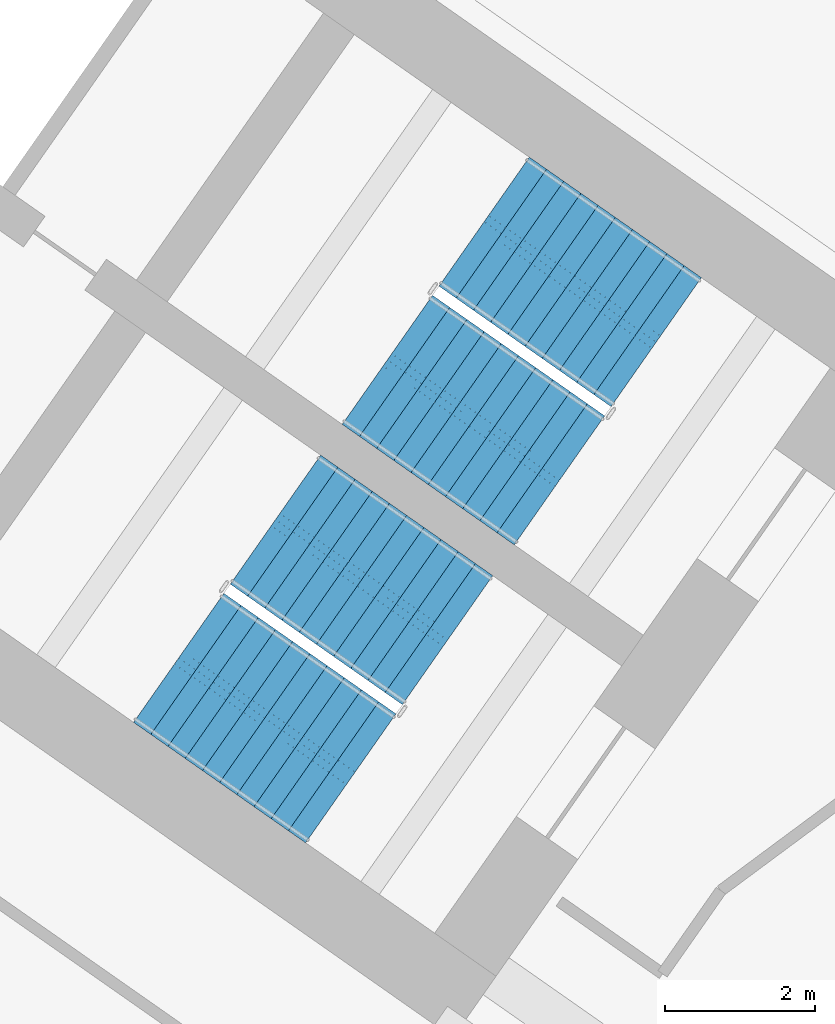
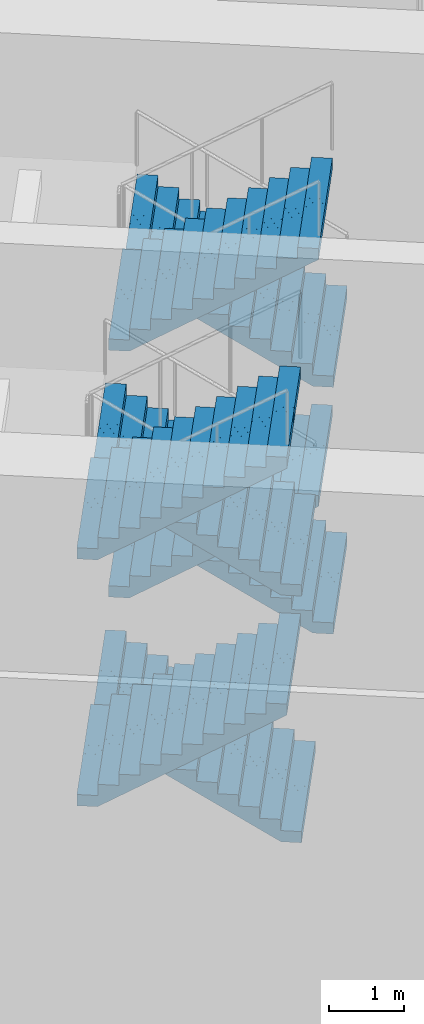
# One storey, part 18 of 27: 8 stair flights, 2 elements without a shape of their own.
"""IFC4 building model written with IfcOpenShell, lengths in metres."""

from ifc_helpers import new_model, si_unit, direction, frame, origin, place, context, subcontext, project, spatial, polyline, outline, extrude, material, type_object, element, aggregate, save


model = new_model("IFC4")

# Units and contexts
model_context = context("Model", 3, precision=1e-05, world=origin(), true_north=direction((0.0, 1.0)))
body_context = subcontext(model_context, "Body", "Model", "MODEL_VIEW")
ifc_project = project(units=[si_unit("LENGTHUNIT", "METRE"), si_unit("AREAUNIT", "SQUARE_METRE"), si_unit("VOLUMEUNIT", "CUBIC_METRE"), si_unit("PLANEANGLEUNIT", "RADIAN"), si_unit("MASSUNIT", "GRAM", prefix="KILO")], contexts=[model_context])

# Site, building, storey
site_placement = place(None, origin())
site = spatial("IfcSite", under=ifc_project, at=site_placement, CompositionType="ELEMENT")
building_placement = place(site_placement, origin())
building = spatial("IfcBuilding", under=site, at=building_placement, Name="Tel Ilan Convention Tower", CompositionType="ELEMENT")
storey_placement = place(building_placement, frame((0.0, 0.0, 18.0)))
storey = spatial("IfcBuildingStorey", under=building, at=storey_placement, Name="L02", CompositionType="ELEMENT", Elevation=18.0)

# Stair, stair flights
ifc_material_1 = material(Name="Concrete C40/50", Category="concrete")
stair_type = type_object("IfcStairType", Name="Pressurised Exit Stair 44 risers 182 mm", PredefinedType="HALF_TURN_STAIR", material=ifc_material_1)
stair_1_placement = place(storey_placement, origin())
stair_1 = element("IfcStair", 1, at=stair_1_placement, inside=storey, type_object=stair_type, Name="L02 Pressurised Stair S3", PredefinedType="HALF_TURN_STAIR")
ifc_material_2 = material(Name="Precast Concrete C40/50", Category="concrete")
stair_flight_type = type_object("IfcStairFlightType", Name="Concrete Stair Flight 2100 mm 44 risers 182 mm", PredefinedType="STRAIGHT", material=ifc_material_2)
stair_flight_1_placement = place(storey_placement, frame((24.25244140625, -7.032470703125, 0.0), z_axis=(0.0, 0.0, 1.0), x_axis=(-0.819152044289, 0.573576436351, 0.0)))
stair_flight_1 = element("IfcStairFlight", 2, at=stair_flight_1_placement, type_object=stair_flight_type, Name="S3 flight 1", NumberOfRisers=11, NumberOfTreads=10, PredefinedType="STRAIGHT", RiserHeight=0.181818182, TreadLength=0.28, context=body_context, shape_type="SweptSolid", body=[
    extrude(outline(polyline([(0.0, 0.0), (0.0, 0.181884765625), (0.280029296875, 0.181884765625), (0.280029296875, 0.363525390625), (0.56005859375, 0.363525390625), (0.56005859375, 0.54541015625), (0.840087890625, 0.54541015625), (0.840087890625, 0.727294921875), (1.1201171875, 0.727294921875), (1.1201171875, 0.9091796875), (1.39990234375, 0.9091796875), (1.39990234375, 1.0908203125), (1.679931640625, 1.0908203125), (1.679931640625, 1.272705078125), (1.9599609375, 1.272705078125), (1.9599609375, 1.45458984375), (2.239990234375, 1.45458984375), (2.239990234375, 1.636474609375), (2.52001953125, 1.636474609375), (2.52001953125, 1.818115234375), (2.800048828125, 1.818115234375), (2.800048828125, 2.0), (2.800048828125, 1.639404296875), (0.275146484375, 0.0), (0.0, 0.0)])), frame((0.0, -0.100341796875, 0.0), z_axis=(0.0, -1.0, 0.0), x_axis=(1.0, 0.0, 0.0)), (0.0, 0.0, 1.0), 0.94970703125),
    extrude(outline(polyline([(0.0, 0.0), (0.0, 0.181884765625), (0.280029296875, 0.181884765625), (0.280029296875, 0.363525390625), (0.56005859375, 0.363525390625), (0.56005859375, 0.54541015625), (0.840087890625, 0.54541015625), (0.840087890625, 0.727294921875), (1.1201171875, 0.727294921875), (1.1201171875, 0.9091796875), (1.39990234375, 0.9091796875), (1.39990234375, 1.0908203125), (1.679931640625, 1.0908203125), (1.679931640625, 1.272705078125), (1.9599609375, 1.272705078125), (1.9599609375, 1.45458984375), (2.239990234375, 1.45458984375), (2.239990234375, 1.636474609375), (2.52001953125, 1.636474609375), (2.52001953125, 1.818115234375), (2.800048828125, 1.818115234375), (2.800048828125, 2.0), (2.800048828125, 1.639404296875), (0.275146484375, 0.0), (0.0, 0.0)])), frame((0.0, -0.000244140625, 0.0), z_axis=(0.0, -1.0, 0.0), x_axis=(1.0, 0.0, 0.0)), (0.0, 0.0, 1.0), 0.099609375),
    extrude(outline(polyline([(0.0, 0.0), (0.0, 0.181884765625), (0.280029296875, 0.181884765625), (0.280029296875, 0.363525390625), (0.56005859375, 0.363525390625), (0.56005859375, 0.54541015625), (0.840087890625, 0.54541015625), (0.840087890625, 0.727294921875), (1.1201171875, 0.727294921875), (1.1201171875, 0.9091796875), (1.39990234375, 0.9091796875), (1.39990234375, 1.0908203125), (1.679931640625, 1.0908203125), (1.679931640625, 1.272705078125), (1.9599609375, 1.272705078125), (1.9599609375, 1.45458984375), (2.239990234375, 1.45458984375), (2.239990234375, 1.636474609375), (2.52001953125, 1.636474609375), (2.52001953125, 1.818115234375), (2.800048828125, 1.818115234375), (2.800048828125, 2.0), (2.800048828125, 1.639404296875), (0.275146484375, 0.0), (0.0, 0.0)])), frame((0.0, 0.099853515625, 0.0), z_axis=(0.0, -1.0, 0.0), x_axis=(1.0, 0.0, 0.0)), (0.0, 0.0, 1.0), 0.099609375),
    extrude(outline(polyline([(0.0, 0.0), (0.0, 0.181884765625), (0.280029296875, 0.181884765625), (0.280029296875, 0.363525390625), (0.56005859375, 0.363525390625), (0.56005859375, 0.54541015625), (0.840087890625, 0.54541015625), (0.840087890625, 0.727294921875), (1.1201171875, 0.727294921875), (1.1201171875, 0.9091796875), (1.39990234375, 0.9091796875), (1.39990234375, 1.0908203125), (1.679931640625, 1.0908203125), (1.679931640625, 1.272705078125), (1.9599609375, 1.272705078125), (1.9599609375, 1.45458984375), (2.239990234375, 1.45458984375), (2.239990234375, 1.636474609375), (2.52001953125, 1.636474609375), (2.52001953125, 1.818115234375), (2.800048828125, 1.818115234375), (2.800048828125, 2.0), (2.800048828125, 1.639404296875), (0.275146484375, 0.0), (0.0, 0.0)])), frame((0.0, 1.050048828125, 0.0), z_axis=(0.0, -1.0, 0.0), x_axis=(1.0, 0.0, 0.0)), (0.0, 0.0, 1.0), 0.94970703125),
])
stair_flight_2_placement = place(storey_placement, frame((20.668212890625, -7.26953125, 2.0), z_axis=(0.0, 0.0, 1.0), x_axis=(0.819152044289, -0.573576436351, 0.0)))
stair_flight_2 = element("IfcStairFlight", 3, at=stair_flight_2_placement, type_object=stair_flight_type, Name="S3 flight 2", NumberOfRisers=11, NumberOfTreads=10, PredefinedType="STRAIGHT", RiserHeight=0.181818182, TreadLength=0.28, context=body_context, shape_type="SweptSolid", body=[
    extrude(outline(polyline([(0.0, 0.0), (0.0, 0.181884765625), (0.280029296875, 0.181884765625), (0.280029296875, 0.363525390625), (0.56005859375, 0.363525390625), (0.56005859375, 0.54541015625), (0.840087890625, 0.54541015625), (0.840087890625, 0.727294921875), (1.1201171875, 0.727294921875), (1.1201171875, 0.9091796875), (1.39990234375, 0.9091796875), (1.39990234375, 1.0908203125), (1.679931640625, 1.0908203125), (1.679931640625, 1.272705078125), (1.9599609375, 1.272705078125), (1.9599609375, 1.45458984375), (2.239990234375, 1.45458984375), (2.239990234375, 1.636474609375), (2.52001953125, 1.636474609375), (2.52001953125, 1.818115234375), (2.800048828125, 1.818115234375), (2.800048828125, 2.0), (2.800048828125, 1.639404296875), (0.275146484375, 0.0), (0.0, 0.0)])), frame((0.0, -0.100341796875, 0.0), z_axis=(0.0, -1.0, 0.0), x_axis=(1.0, 0.0, 0.0)), (0.0, 0.0, 1.0), 0.94970703125),
    extrude(outline(polyline([(0.0, 0.0), (0.0, 0.181884765625), (0.280029296875, 0.181884765625), (0.280029296875, 0.363525390625), (0.56005859375, 0.363525390625), (0.56005859375, 0.54541015625), (0.840087890625, 0.54541015625), (0.840087890625, 0.727294921875), (1.1201171875, 0.727294921875), (1.1201171875, 0.9091796875), (1.39990234375, 0.9091796875), (1.39990234375, 1.0908203125), (1.679931640625, 1.0908203125), (1.679931640625, 1.272705078125), (1.9599609375, 1.272705078125), (1.9599609375, 1.45458984375), (2.239990234375, 1.45458984375), (2.239990234375, 1.636474609375), (2.52001953125, 1.636474609375), (2.52001953125, 1.818115234375), (2.800048828125, 1.818115234375), (2.800048828125, 2.0), (2.800048828125, 1.639404296875), (0.275146484375, 0.0), (0.0, 0.0)])), frame((0.0, -0.000244140625, 0.0), z_axis=(0.0, -1.0, 0.0), x_axis=(1.0, 0.0, 0.0)), (0.0, 0.0, 1.0), 0.099609375),
    extrude(outline(polyline([(0.0, 0.0), (0.0, 0.181884765625), (0.280029296875, 0.181884765625), (0.280029296875, 0.363525390625), (0.56005859375, 0.363525390625), (0.56005859375, 0.54541015625), (0.840087890625, 0.54541015625), (0.840087890625, 0.727294921875), (1.1201171875, 0.727294921875), (1.1201171875, 0.9091796875), (1.39990234375, 0.9091796875), (1.39990234375, 1.0908203125), (1.679931640625, 1.0908203125), (1.679931640625, 1.272705078125), (1.9599609375, 1.272705078125), (1.9599609375, 1.45458984375), (2.239990234375, 1.45458984375), (2.239990234375, 1.636474609375), (2.52001953125, 1.636474609375), (2.52001953125, 1.818115234375), (2.800048828125, 1.818115234375), (2.800048828125, 2.0), (2.800048828125, 1.639404296875), (0.275146484375, 0.0), (0.0, 0.0)])), frame((0.0, 0.099853515625, 0.0), z_axis=(0.0, -1.0, 0.0), x_axis=(1.0, 0.0, 0.0)), (0.0, 0.0, 1.0), 0.099609375),
    extrude(outline(polyline([(0.0, 0.0), (0.0, 0.181884765625), (0.280029296875, 0.181884765625), (0.280029296875, 0.363525390625), (0.56005859375, 0.363525390625), (0.56005859375, 0.54541015625), (0.840087890625, 0.54541015625), (0.840087890625, 0.727294921875), (1.1201171875, 0.727294921875), (1.1201171875, 0.9091796875), (1.39990234375, 0.9091796875), (1.39990234375, 1.0908203125), (1.679931640625, 1.0908203125), (1.679931640625, 1.272705078125), (1.9599609375, 1.272705078125), (1.9599609375, 1.45458984375), (2.239990234375, 1.45458984375), (2.239990234375, 1.636474609375), (2.52001953125, 1.636474609375), (2.52001953125, 1.818115234375), (2.800048828125, 1.818115234375), (2.800048828125, 2.0), (2.800048828125, 1.639404296875), (0.275146484375, 0.0), (0.0, 0.0)])), frame((0.0, 1.050048828125, 0.0), z_axis=(0.0, -1.0, 0.0), x_axis=(1.0, 0.0, 0.0)), (0.0, 0.0, 1.0), 0.94970703125),
])
stair_flight_3_placement = place(storey_placement, frame((24.25244140625, -7.032470703125, 4.0), z_axis=(0.0, 0.0, 1.0), x_axis=(-0.819152044289, 0.573576436351, 0.0)))
stair_flight_3 = element("IfcStairFlight", 4, at=stair_flight_3_placement, type_object=stair_flight_type, Name="S3 flight 3", NumberOfRisers=11, NumberOfTreads=10, PredefinedType="STRAIGHT", RiserHeight=0.181818182, TreadLength=0.28, context=body_context, shape_type="SweptSolid", body=[
    extrude(outline(polyline([(0.0, 0.0), (0.0, 0.181884765625), (0.280029296875, 0.181884765625), (0.280029296875, 0.363525390625), (0.56005859375, 0.363525390625), (0.56005859375, 0.54541015625), (0.840087890625, 0.54541015625), (0.840087890625, 0.727294921875), (1.1201171875, 0.727294921875), (1.1201171875, 0.9091796875), (1.39990234375, 0.9091796875), (1.39990234375, 1.0908203125), (1.679931640625, 1.0908203125), (1.679931640625, 1.272705078125), (1.9599609375, 1.272705078125), (1.9599609375, 1.45458984375), (2.239990234375, 1.45458984375), (2.239990234375, 1.636474609375), (2.52001953125, 1.636474609375), (2.52001953125, 1.818115234375), (2.800048828125, 1.818115234375), (2.800048828125, 2.0), (2.800048828125, 1.639404296875), (0.275146484375, 0.0), (0.0, 0.0)])), frame((0.0, -0.100341796875, 0.0), z_axis=(0.0, -1.0, 0.0), x_axis=(1.0, 0.0, 0.0)), (0.0, 0.0, 1.0), 0.94970703125),
    extrude(outline(polyline([(0.0, 0.0), (0.0, 0.181884765625), (0.280029296875, 0.181884765625), (0.280029296875, 0.363525390625), (0.56005859375, 0.363525390625), (0.56005859375, 0.54541015625), (0.840087890625, 0.54541015625), (0.840087890625, 0.727294921875), (1.1201171875, 0.727294921875), (1.1201171875, 0.9091796875), (1.39990234375, 0.9091796875), (1.39990234375, 1.0908203125), (1.679931640625, 1.0908203125), (1.679931640625, 1.272705078125), (1.9599609375, 1.272705078125), (1.9599609375, 1.45458984375), (2.239990234375, 1.45458984375), (2.239990234375, 1.636474609375), (2.52001953125, 1.636474609375), (2.52001953125, 1.818115234375), (2.800048828125, 1.818115234375), (2.800048828125, 2.0), (2.800048828125, 1.639404296875), (0.275146484375, 0.0), (0.0, 0.0)])), frame((0.0, -0.000244140625, 0.0), z_axis=(0.0, -1.0, 0.0), x_axis=(1.0, 0.0, 0.0)), (0.0, 0.0, 1.0), 0.099609375),
    extrude(outline(polyline([(0.0, 0.0), (0.0, 0.181884765625), (0.280029296875, 0.181884765625), (0.280029296875, 0.363525390625), (0.56005859375, 0.363525390625), (0.56005859375, 0.54541015625), (0.840087890625, 0.54541015625), (0.840087890625, 0.727294921875), (1.1201171875, 0.727294921875), (1.1201171875, 0.9091796875), (1.39990234375, 0.9091796875), (1.39990234375, 1.0908203125), (1.679931640625, 1.0908203125), (1.679931640625, 1.272705078125), (1.9599609375, 1.272705078125), (1.9599609375, 1.45458984375), (2.239990234375, 1.45458984375), (2.239990234375, 1.636474609375), (2.52001953125, 1.636474609375), (2.52001953125, 1.818115234375), (2.800048828125, 1.818115234375), (2.800048828125, 2.0), (2.800048828125, 1.639404296875), (0.275146484375, 0.0), (0.0, 0.0)])), frame((0.0, 0.099853515625, 0.0), z_axis=(0.0, -1.0, 0.0), x_axis=(1.0, 0.0, 0.0)), (0.0, 0.0, 1.0), 0.099609375),
    extrude(outline(polyline([(0.0, 0.0), (0.0, 0.181884765625), (0.280029296875, 0.181884765625), (0.280029296875, 0.363525390625), (0.56005859375, 0.363525390625), (0.56005859375, 0.54541015625), (0.840087890625, 0.54541015625), (0.840087890625, 0.727294921875), (1.1201171875, 0.727294921875), (1.1201171875, 0.9091796875), (1.39990234375, 0.9091796875), (1.39990234375, 1.0908203125), (1.679931640625, 1.0908203125), (1.679931640625, 1.272705078125), (1.9599609375, 1.272705078125), (1.9599609375, 1.45458984375), (2.239990234375, 1.45458984375), (2.239990234375, 1.636474609375), (2.52001953125, 1.636474609375), (2.52001953125, 1.818115234375), (2.800048828125, 1.818115234375), (2.800048828125, 2.0), (2.800048828125, 1.639404296875), (0.275146484375, 0.0), (0.0, 0.0)])), frame((0.0, 1.050048828125, 0.0), z_axis=(0.0, -1.0, 0.0), x_axis=(1.0, 0.0, 0.0)), (0.0, 0.0, 1.0), 0.94970703125),
])
stair_flight_4_placement = place(storey_placement, frame((20.668212890625, -7.26953125, 6.0), z_axis=(0.0, 0.0, 1.0), x_axis=(0.819152044289, -0.573576436351, 0.0)))
stair_flight_4 = element("IfcStairFlight", 5, at=stair_flight_4_placement, type_object=stair_flight_type, Name="S3 flight 4", NumberOfRisers=11, NumberOfTreads=10, PredefinedType="STRAIGHT", RiserHeight=0.181818182, TreadLength=0.28, context=body_context, shape_type="SweptSolid", body=[
    extrude(outline(polyline([(0.0, 0.0), (0.0, 0.181884765625), (0.280029296875, 0.181884765625), (0.280029296875, 0.363525390625), (0.56005859375, 0.363525390625), (0.56005859375, 0.54541015625), (0.840087890625, 0.54541015625), (0.840087890625, 0.727294921875), (1.1201171875, 0.727294921875), (1.1201171875, 0.9091796875), (1.39990234375, 0.9091796875), (1.39990234375, 1.0908203125), (1.679931640625, 1.0908203125), (1.679931640625, 1.272705078125), (1.9599609375, 1.272705078125), (1.9599609375, 1.45458984375), (2.239990234375, 1.45458984375), (2.239990234375, 1.636474609375), (2.52001953125, 1.636474609375), (2.52001953125, 1.818115234375), (2.800048828125, 1.818115234375), (2.800048828125, 2.0), (2.800048828125, 1.639404296875), (0.275146484375, 0.0), (0.0, 0.0)])), frame((0.0, -0.100341796875, 0.0), z_axis=(0.0, -1.0, 0.0), x_axis=(1.0, 0.0, 0.0)), (0.0, 0.0, 1.0), 0.94970703125),
    extrude(outline(polyline([(0.0, 0.0), (0.0, 0.181884765625), (0.280029296875, 0.181884765625), (0.280029296875, 0.363525390625), (0.56005859375, 0.363525390625), (0.56005859375, 0.54541015625), (0.840087890625, 0.54541015625), (0.840087890625, 0.727294921875), (1.1201171875, 0.727294921875), (1.1201171875, 0.9091796875), (1.39990234375, 0.9091796875), (1.39990234375, 1.0908203125), (1.679931640625, 1.0908203125), (1.679931640625, 1.272705078125), (1.9599609375, 1.272705078125), (1.9599609375, 1.45458984375), (2.239990234375, 1.45458984375), (2.239990234375, 1.636474609375), (2.52001953125, 1.636474609375), (2.52001953125, 1.818115234375), (2.800048828125, 1.818115234375), (2.800048828125, 2.0), (2.800048828125, 1.639404296875), (0.275146484375, 0.0), (0.0, 0.0)])), frame((0.0, -0.000244140625, 0.0), z_axis=(0.0, -1.0, 0.0), x_axis=(1.0, 0.0, 0.0)), (0.0, 0.0, 1.0), 0.099609375),
    extrude(outline(polyline([(0.0, 0.0), (0.0, 0.181884765625), (0.280029296875, 0.181884765625), (0.280029296875, 0.363525390625), (0.56005859375, 0.363525390625), (0.56005859375, 0.54541015625), (0.840087890625, 0.54541015625), (0.840087890625, 0.727294921875), (1.1201171875, 0.727294921875), (1.1201171875, 0.9091796875), (1.39990234375, 0.9091796875), (1.39990234375, 1.0908203125), (1.679931640625, 1.0908203125), (1.679931640625, 1.272705078125), (1.9599609375, 1.272705078125), (1.9599609375, 1.45458984375), (2.239990234375, 1.45458984375), (2.239990234375, 1.636474609375), (2.52001953125, 1.636474609375), (2.52001953125, 1.818115234375), (2.800048828125, 1.818115234375), (2.800048828125, 2.0), (2.800048828125, 1.639404296875), (0.275146484375, 0.0), (0.0, 0.0)])), frame((0.0, 0.099853515625, 0.0), z_axis=(0.0, -1.0, 0.0), x_axis=(1.0, 0.0, 0.0)), (0.0, 0.0, 1.0), 0.099609375),
    extrude(outline(polyline([(0.0, 0.0), (0.0, 0.181884765625), (0.280029296875, 0.181884765625), (0.280029296875, 0.363525390625), (0.56005859375, 0.363525390625), (0.56005859375, 0.54541015625), (0.840087890625, 0.54541015625), (0.840087890625, 0.727294921875), (1.1201171875, 0.727294921875), (1.1201171875, 0.9091796875), (1.39990234375, 0.9091796875), (1.39990234375, 1.0908203125), (1.679931640625, 1.0908203125), (1.679931640625, 1.272705078125), (1.9599609375, 1.272705078125), (1.9599609375, 1.45458984375), (2.239990234375, 1.45458984375), (2.239990234375, 1.636474609375), (2.52001953125, 1.636474609375), (2.52001953125, 1.818115234375), (2.800048828125, 1.818115234375), (2.800048828125, 2.0), (2.800048828125, 1.639404296875), (0.275146484375, 0.0), (0.0, 0.0)])), frame((0.0, 1.050048828125, 0.0), z_axis=(0.0, -1.0, 0.0), x_axis=(1.0, 0.0, 0.0)), (0.0, 0.0, 1.0), 0.94970703125),
])
aggregate(stair_1, [stair_flight_1, stair_flight_2, stair_flight_3, stair_flight_4])

stair_2_placement = place(storey_placement, origin())
stair_2 = element("IfcStair", 6, at=stair_2_placement, inside=storey, type_object=stair_type, Name="L02 Pressurised Stair S4", PredefinedType="HALF_TURN_STAIR")
stair_flight_5_placement = place(storey_placement, frame((21.470458984375, -11.00537109375, 0.0), z_axis=(0.0, 0.0, 1.0), x_axis=(-0.819152044289, 0.573576436351, 0.0)))
stair_flight_5 = element("IfcStairFlight", 7, at=stair_flight_5_placement, type_object=stair_flight_type, Name="S4 flight 1", NumberOfRisers=11, NumberOfTreads=10, PredefinedType="STRAIGHT", RiserHeight=0.181818182, TreadLength=0.28, context=body_context, shape_type="SweptSolid", body=[
    extrude(outline(polyline([(0.0, 0.0), (0.0, 0.181884765625), (0.280029296875, 0.181884765625), (0.280029296875, 0.363525390625), (0.56005859375, 0.363525390625), (0.56005859375, 0.54541015625), (0.840087890625, 0.54541015625), (0.840087890625, 0.727294921875), (1.1201171875, 0.727294921875), (1.1201171875, 0.9091796875), (1.39990234375, 0.9091796875), (1.39990234375, 1.0908203125), (1.679931640625, 1.0908203125), (1.679931640625, 1.272705078125), (1.9599609375, 1.272705078125), (1.9599609375, 1.45458984375), (2.239990234375, 1.45458984375), (2.239990234375, 1.636474609375), (2.52001953125, 1.636474609375), (2.52001953125, 1.818115234375), (2.800048828125, 1.818115234375), (2.800048828125, 2.0), (2.800048828125, 1.639404296875), (0.275146484375, 0.0), (0.0, 0.0)])), frame((0.0, -0.100341796875, 0.0), z_axis=(0.0, -1.0, 0.0), x_axis=(1.0, 0.0, 0.0)), (0.0, 0.0, 1.0), 0.94970703125),
    extrude(outline(polyline([(0.0, 0.0), (0.0, 0.181884765625), (0.280029296875, 0.181884765625), (0.280029296875, 0.363525390625), (0.56005859375, 0.363525390625), (0.56005859375, 0.54541015625), (0.840087890625, 0.54541015625), (0.840087890625, 0.727294921875), (1.1201171875, 0.727294921875), (1.1201171875, 0.9091796875), (1.39990234375, 0.9091796875), (1.39990234375, 1.0908203125), (1.679931640625, 1.0908203125), (1.679931640625, 1.272705078125), (1.9599609375, 1.272705078125), (1.9599609375, 1.45458984375), (2.239990234375, 1.45458984375), (2.239990234375, 1.636474609375), (2.52001953125, 1.636474609375), (2.52001953125, 1.818115234375), (2.800048828125, 1.818115234375), (2.800048828125, 2.0), (2.800048828125, 1.639404296875), (0.275146484375, 0.0), (0.0, 0.0)])), frame((0.0, -0.000244140625, 0.0), z_axis=(0.0, -1.0, 0.0), x_axis=(1.0, 0.0, 0.0)), (0.0, 0.0, 1.0), 0.099609375),
    extrude(outline(polyline([(0.0, 0.0), (0.0, 0.181884765625), (0.280029296875, 0.181884765625), (0.280029296875, 0.363525390625), (0.56005859375, 0.363525390625), (0.56005859375, 0.54541015625), (0.840087890625, 0.54541015625), (0.840087890625, 0.727294921875), (1.1201171875, 0.727294921875), (1.1201171875, 0.9091796875), (1.39990234375, 0.9091796875), (1.39990234375, 1.0908203125), (1.679931640625, 1.0908203125), (1.679931640625, 1.272705078125), (1.9599609375, 1.272705078125), (1.9599609375, 1.45458984375), (2.239990234375, 1.45458984375), (2.239990234375, 1.636474609375), (2.52001953125, 1.636474609375), (2.52001953125, 1.818115234375), (2.800048828125, 1.818115234375), (2.800048828125, 2.0), (2.800048828125, 1.639404296875), (0.275146484375, 0.0), (0.0, 0.0)])), frame((0.0, 0.099853515625, 0.0), z_axis=(0.0, -1.0, 0.0), x_axis=(1.0, 0.0, 0.0)), (0.0, 0.0, 1.0), 0.099609375),
    extrude(outline(polyline([(0.0, 0.0), (0.0, 0.181884765625), (0.280029296875, 0.181884765625), (0.280029296875, 0.363525390625), (0.56005859375, 0.363525390625), (0.56005859375, 0.54541015625), (0.840087890625, 0.54541015625), (0.840087890625, 0.727294921875), (1.1201171875, 0.727294921875), (1.1201171875, 0.9091796875), (1.39990234375, 0.9091796875), (1.39990234375, 1.0908203125), (1.679931640625, 1.0908203125), (1.679931640625, 1.272705078125), (1.9599609375, 1.272705078125), (1.9599609375, 1.45458984375), (2.239990234375, 1.45458984375), (2.239990234375, 1.636474609375), (2.52001953125, 1.636474609375), (2.52001953125, 1.818115234375), (2.800048828125, 1.818115234375), (2.800048828125, 2.0), (2.800048828125, 1.639404296875), (0.275146484375, 0.0), (0.0, 0.0)])), frame((0.0, 1.050048828125, 0.0), z_axis=(0.0, -1.0, 0.0), x_axis=(1.0, 0.0, 0.0)), (0.0, 0.0, 1.0), 0.94970703125),
])
stair_flight_6_placement = place(storey_placement, frame((17.886474609375, -11.242431640625, 2.0), z_axis=(0.0, 0.0, 1.0), x_axis=(0.819152044289, -0.573576436351, 0.0)))
stair_flight_6 = element("IfcStairFlight", 8, at=stair_flight_6_placement, type_object=stair_flight_type, Name="S4 flight 2", NumberOfRisers=11, NumberOfTreads=10, PredefinedType="STRAIGHT", RiserHeight=0.181818182, TreadLength=0.28, context=body_context, shape_type="SweptSolid", body=[
    extrude(outline(polyline([(0.0, 0.0), (0.0, 0.181884765625), (0.280029296875, 0.181884765625), (0.280029296875, 0.363525390625), (0.56005859375, 0.363525390625), (0.56005859375, 0.54541015625), (0.840087890625, 0.54541015625), (0.840087890625, 0.727294921875), (1.1201171875, 0.727294921875), (1.1201171875, 0.9091796875), (1.39990234375, 0.9091796875), (1.39990234375, 1.0908203125), (1.679931640625, 1.0908203125), (1.679931640625, 1.272705078125), (1.9599609375, 1.272705078125), (1.9599609375, 1.45458984375), (2.239990234375, 1.45458984375), (2.239990234375, 1.636474609375), (2.52001953125, 1.636474609375), (2.52001953125, 1.818115234375), (2.800048828125, 1.818115234375), (2.800048828125, 2.0), (2.800048828125, 1.639404296875), (0.275146484375, 0.0), (0.0, 0.0)])), frame((0.0, -0.100341796875, 0.0), z_axis=(0.0, -1.0, 0.0), x_axis=(1.0, 0.0, 0.0)), (0.0, 0.0, 1.0), 0.94970703125),
    extrude(outline(polyline([(0.0, 0.0), (0.0, 0.181884765625), (0.280029296875, 0.181884765625), (0.280029296875, 0.363525390625), (0.56005859375, 0.363525390625), (0.56005859375, 0.54541015625), (0.840087890625, 0.54541015625), (0.840087890625, 0.727294921875), (1.1201171875, 0.727294921875), (1.1201171875, 0.9091796875), (1.39990234375, 0.9091796875), (1.39990234375, 1.0908203125), (1.679931640625, 1.0908203125), (1.679931640625, 1.272705078125), (1.9599609375, 1.272705078125), (1.9599609375, 1.45458984375), (2.239990234375, 1.45458984375), (2.239990234375, 1.636474609375), (2.52001953125, 1.636474609375), (2.52001953125, 1.818115234375), (2.800048828125, 1.818115234375), (2.800048828125, 2.0), (2.800048828125, 1.639404296875), (0.275146484375, 0.0), (0.0, 0.0)])), frame((0.0, -0.000244140625, 0.0), z_axis=(0.0, -1.0, 0.0), x_axis=(1.0, 0.0, 0.0)), (0.0, 0.0, 1.0), 0.099609375),
    extrude(outline(polyline([(0.0, 0.0), (0.0, 0.181884765625), (0.280029296875, 0.181884765625), (0.280029296875, 0.363525390625), (0.56005859375, 0.363525390625), (0.56005859375, 0.54541015625), (0.840087890625, 0.54541015625), (0.840087890625, 0.727294921875), (1.1201171875, 0.727294921875), (1.1201171875, 0.9091796875), (1.39990234375, 0.9091796875), (1.39990234375, 1.0908203125), (1.679931640625, 1.0908203125), (1.679931640625, 1.272705078125), (1.9599609375, 1.272705078125), (1.9599609375, 1.45458984375), (2.239990234375, 1.45458984375), (2.239990234375, 1.636474609375), (2.52001953125, 1.636474609375), (2.52001953125, 1.818115234375), (2.800048828125, 1.818115234375), (2.800048828125, 2.0), (2.800048828125, 1.639404296875), (0.275146484375, 0.0), (0.0, 0.0)])), frame((0.0, 0.099853515625, 0.0), z_axis=(0.0, -1.0, 0.0), x_axis=(1.0, 0.0, 0.0)), (0.0, 0.0, 1.0), 0.099609375),
    extrude(outline(polyline([(0.0, 0.0), (0.0, 0.181884765625), (0.280029296875, 0.181884765625), (0.280029296875, 0.363525390625), (0.56005859375, 0.363525390625), (0.56005859375, 0.54541015625), (0.840087890625, 0.54541015625), (0.840087890625, 0.727294921875), (1.1201171875, 0.727294921875), (1.1201171875, 0.9091796875), (1.39990234375, 0.9091796875), (1.39990234375, 1.0908203125), (1.679931640625, 1.0908203125), (1.679931640625, 1.272705078125), (1.9599609375, 1.272705078125), (1.9599609375, 1.45458984375), (2.239990234375, 1.45458984375), (2.239990234375, 1.636474609375), (2.52001953125, 1.636474609375), (2.52001953125, 1.818115234375), (2.800048828125, 1.818115234375), (2.800048828125, 2.0), (2.800048828125, 1.639404296875), (0.275146484375, 0.0), (0.0, 0.0)])), frame((0.0, 1.050048828125, 0.0), z_axis=(0.0, -1.0, 0.0), x_axis=(1.0, 0.0, 0.0)), (0.0, 0.0, 1.0), 0.94970703125),
])
stair_flight_7_placement = place(storey_placement, frame((21.470458984375, -11.00537109375, 4.0), z_axis=(0.0, 0.0, 1.0), x_axis=(-0.819152044289, 0.573576436351, 0.0)))
stair_flight_7 = element("IfcStairFlight", 9, at=stair_flight_7_placement, type_object=stair_flight_type, Name="S4 flight 3", NumberOfRisers=11, NumberOfTreads=10, PredefinedType="STRAIGHT", RiserHeight=0.181818182, TreadLength=0.28, context=body_context, shape_type="SweptSolid", body=[
    extrude(outline(polyline([(0.0, 0.0), (0.0, 0.181884765625), (0.280029296875, 0.181884765625), (0.280029296875, 0.363525390625), (0.56005859375, 0.363525390625), (0.56005859375, 0.54541015625), (0.840087890625, 0.54541015625), (0.840087890625, 0.727294921875), (1.1201171875, 0.727294921875), (1.1201171875, 0.9091796875), (1.39990234375, 0.9091796875), (1.39990234375, 1.0908203125), (1.679931640625, 1.0908203125), (1.679931640625, 1.272705078125), (1.9599609375, 1.272705078125), (1.9599609375, 1.45458984375), (2.239990234375, 1.45458984375), (2.239990234375, 1.636474609375), (2.52001953125, 1.636474609375), (2.52001953125, 1.818115234375), (2.800048828125, 1.818115234375), (2.800048828125, 2.0), (2.800048828125, 1.639404296875), (0.275146484375, 0.0), (0.0, 0.0)])), frame((0.0, -0.100341796875, 0.0), z_axis=(0.0, -1.0, 0.0), x_axis=(1.0, 0.0, 0.0)), (0.0, 0.0, 1.0), 0.94970703125),
    extrude(outline(polyline([(0.0, 0.0), (0.0, 0.181884765625), (0.280029296875, 0.181884765625), (0.280029296875, 0.363525390625), (0.56005859375, 0.363525390625), (0.56005859375, 0.54541015625), (0.840087890625, 0.54541015625), (0.840087890625, 0.727294921875), (1.1201171875, 0.727294921875), (1.1201171875, 0.9091796875), (1.39990234375, 0.9091796875), (1.39990234375, 1.0908203125), (1.679931640625, 1.0908203125), (1.679931640625, 1.272705078125), (1.9599609375, 1.272705078125), (1.9599609375, 1.45458984375), (2.239990234375, 1.45458984375), (2.239990234375, 1.636474609375), (2.52001953125, 1.636474609375), (2.52001953125, 1.818115234375), (2.800048828125, 1.818115234375), (2.800048828125, 2.0), (2.800048828125, 1.639404296875), (0.275146484375, 0.0), (0.0, 0.0)])), frame((0.0, -0.000244140625, 0.0), z_axis=(0.0, -1.0, 0.0), x_axis=(1.0, 0.0, 0.0)), (0.0, 0.0, 1.0), 0.099609375),
    extrude(outline(polyline([(0.0, 0.0), (0.0, 0.181884765625), (0.280029296875, 0.181884765625), (0.280029296875, 0.363525390625), (0.56005859375, 0.363525390625), (0.56005859375, 0.54541015625), (0.840087890625, 0.54541015625), (0.840087890625, 0.727294921875), (1.1201171875, 0.727294921875), (1.1201171875, 0.9091796875), (1.39990234375, 0.9091796875), (1.39990234375, 1.0908203125), (1.679931640625, 1.0908203125), (1.679931640625, 1.272705078125), (1.9599609375, 1.272705078125), (1.9599609375, 1.45458984375), (2.239990234375, 1.45458984375), (2.239990234375, 1.636474609375), (2.52001953125, 1.636474609375), (2.52001953125, 1.818115234375), (2.800048828125, 1.818115234375), (2.800048828125, 2.0), (2.800048828125, 1.639404296875), (0.275146484375, 0.0), (0.0, 0.0)])), frame((0.0, 0.099853515625, 0.0), z_axis=(0.0, -1.0, 0.0), x_axis=(1.0, 0.0, 0.0)), (0.0, 0.0, 1.0), 0.099609375),
    extrude(outline(polyline([(0.0, 0.0), (0.0, 0.181884765625), (0.280029296875, 0.181884765625), (0.280029296875, 0.363525390625), (0.56005859375, 0.363525390625), (0.56005859375, 0.54541015625), (0.840087890625, 0.54541015625), (0.840087890625, 0.727294921875), (1.1201171875, 0.727294921875), (1.1201171875, 0.9091796875), (1.39990234375, 0.9091796875), (1.39990234375, 1.0908203125), (1.679931640625, 1.0908203125), (1.679931640625, 1.272705078125), (1.9599609375, 1.272705078125), (1.9599609375, 1.45458984375), (2.239990234375, 1.45458984375), (2.239990234375, 1.636474609375), (2.52001953125, 1.636474609375), (2.52001953125, 1.818115234375), (2.800048828125, 1.818115234375), (2.800048828125, 2.0), (2.800048828125, 1.639404296875), (0.275146484375, 0.0), (0.0, 0.0)])), frame((0.0, 1.050048828125, 0.0), z_axis=(0.0, -1.0, 0.0), x_axis=(1.0, 0.0, 0.0)), (0.0, 0.0, 1.0), 0.94970703125),
])
stair_flight_8_placement = place(storey_placement, frame((17.886474609375, -11.242431640625, 6.0), z_axis=(0.0, 0.0, 1.0), x_axis=(0.819152044289, -0.573576436351, 0.0)))
stair_flight_8 = element("IfcStairFlight", 10, at=stair_flight_8_placement, type_object=stair_flight_type, Name="S4 flight 4", NumberOfRisers=11, NumberOfTreads=10, PredefinedType="STRAIGHT", RiserHeight=0.181818182, TreadLength=0.28, context=body_context, shape_type="SweptSolid", body=[
    extrude(outline(polyline([(0.0, 0.0), (0.0, 0.181884765625), (0.280029296875, 0.181884765625), (0.280029296875, 0.363525390625), (0.56005859375, 0.363525390625), (0.56005859375, 0.54541015625), (0.840087890625, 0.54541015625), (0.840087890625, 0.727294921875), (1.1201171875, 0.727294921875), (1.1201171875, 0.9091796875), (1.39990234375, 0.9091796875), (1.39990234375, 1.0908203125), (1.679931640625, 1.0908203125), (1.679931640625, 1.272705078125), (1.9599609375, 1.272705078125), (1.9599609375, 1.45458984375), (2.239990234375, 1.45458984375), (2.239990234375, 1.636474609375), (2.52001953125, 1.636474609375), (2.52001953125, 1.818115234375), (2.800048828125, 1.818115234375), (2.800048828125, 2.0), (2.800048828125, 1.639404296875), (0.275146484375, 0.0), (0.0, 0.0)])), frame((0.0, -0.100341796875, 0.0), z_axis=(0.0, -1.0, 0.0), x_axis=(1.0, 0.0, 0.0)), (0.0, 0.0, 1.0), 0.94970703125),
    extrude(outline(polyline([(0.0, 0.0), (0.0, 0.181884765625), (0.280029296875, 0.181884765625), (0.280029296875, 0.363525390625), (0.56005859375, 0.363525390625), (0.56005859375, 0.54541015625), (0.840087890625, 0.54541015625), (0.840087890625, 0.727294921875), (1.1201171875, 0.727294921875), (1.1201171875, 0.9091796875), (1.39990234375, 0.9091796875), (1.39990234375, 1.0908203125), (1.679931640625, 1.0908203125), (1.679931640625, 1.272705078125), (1.9599609375, 1.272705078125), (1.9599609375, 1.45458984375), (2.239990234375, 1.45458984375), (2.239990234375, 1.636474609375), (2.52001953125, 1.636474609375), (2.52001953125, 1.818115234375), (2.800048828125, 1.818115234375), (2.800048828125, 2.0), (2.800048828125, 1.639404296875), (0.275146484375, 0.0), (0.0, 0.0)])), frame((0.0, -0.000244140625, 0.0), z_axis=(0.0, -1.0, 0.0), x_axis=(1.0, 0.0, 0.0)), (0.0, 0.0, 1.0), 0.099609375),
    extrude(outline(polyline([(0.0, 0.0), (0.0, 0.181884765625), (0.280029296875, 0.181884765625), (0.280029296875, 0.363525390625), (0.56005859375, 0.363525390625), (0.56005859375, 0.54541015625), (0.840087890625, 0.54541015625), (0.840087890625, 0.727294921875), (1.1201171875, 0.727294921875), (1.1201171875, 0.9091796875), (1.39990234375, 0.9091796875), (1.39990234375, 1.0908203125), (1.679931640625, 1.0908203125), (1.679931640625, 1.272705078125), (1.9599609375, 1.272705078125), (1.9599609375, 1.45458984375), (2.239990234375, 1.45458984375), (2.239990234375, 1.636474609375), (2.52001953125, 1.636474609375), (2.52001953125, 1.818115234375), (2.800048828125, 1.818115234375), (2.800048828125, 2.0), (2.800048828125, 1.639404296875), (0.275146484375, 0.0), (0.0, 0.0)])), frame((0.0, 0.099853515625, 0.0), z_axis=(0.0, -1.0, 0.0), x_axis=(1.0, 0.0, 0.0)), (0.0, 0.0, 1.0), 0.099609375),
    extrude(outline(polyline([(0.0, 0.0), (0.0, 0.181884765625), (0.280029296875, 0.181884765625), (0.280029296875, 0.363525390625), (0.56005859375, 0.363525390625), (0.56005859375, 0.54541015625), (0.840087890625, 0.54541015625), (0.840087890625, 0.727294921875), (1.1201171875, 0.727294921875), (1.1201171875, 0.9091796875), (1.39990234375, 0.9091796875), (1.39990234375, 1.0908203125), (1.679931640625, 1.0908203125), (1.679931640625, 1.272705078125), (1.9599609375, 1.272705078125), (1.9599609375, 1.45458984375), (2.239990234375, 1.45458984375), (2.239990234375, 1.636474609375), (2.52001953125, 1.636474609375), (2.52001953125, 1.818115234375), (2.800048828125, 1.818115234375), (2.800048828125, 2.0), (2.800048828125, 1.639404296875), (0.275146484375, 0.0), (0.0, 0.0)])), frame((0.0, 1.050048828125, 0.0), z_axis=(0.0, -1.0, 0.0), x_axis=(1.0, 0.0, 0.0)), (0.0, 0.0, 1.0), 0.94970703125),
])
aggregate(stair_2, [stair_flight_5, stair_flight_6, stair_flight_7, stair_flight_8])

save(model, "model.ifc")
